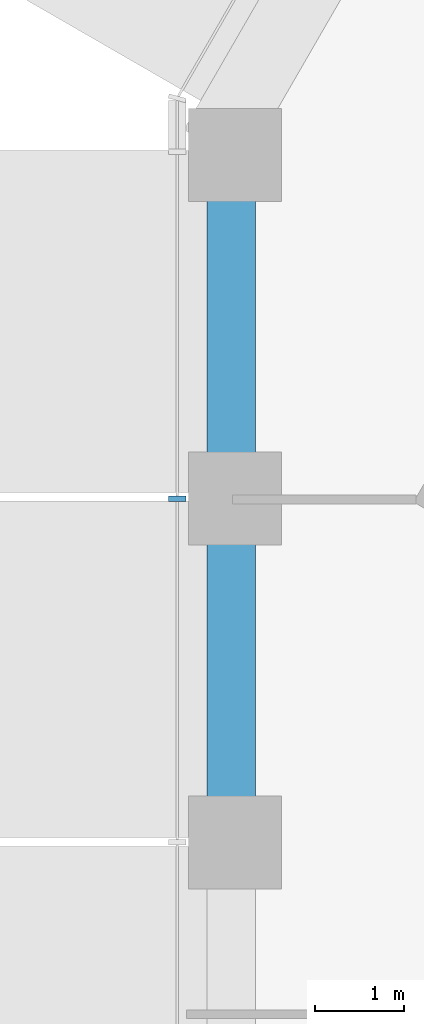
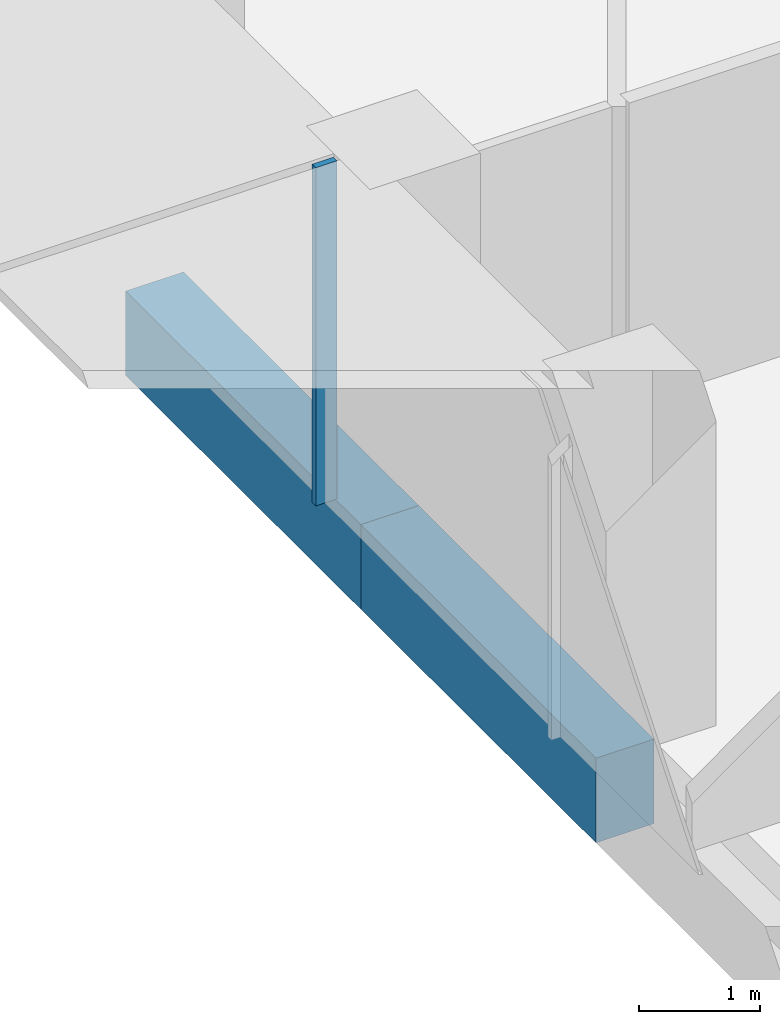
# One storey, part 4 of 19: 2 beams, 1 member, 1 element without a shape of its own.
"""IFC4 building model written with IfcOpenShell, lengths in metres."""

import ifcopenshell
import ifcopenshell.guid

model = None  # the IFC model being written
_history = None  # IfcOwnerHistory: only IFC2X3 demands one
_inside = {}  # id of a spatial element -> (the spatial element, [elements in it])
_under = {}  # id of a project, library or spatial element -> (it, [spatial elements below it])
_declared = {}  # id of a project -> (the project, [libraries it declares])
_typed = {}  # id of a type object -> (the type object, [elements of that type])
_made_of = {}  # id of a material, layer set ... -> (it, [elements and type objects made of it])


def new_model(schema):
    """Start an empty IFC model of exactly this schema.

    Asked for "IFC4X3", IfcOpenShell would pick the latest addendum, in which some entities
    have other attributes; the version numbers below select the first issue.
    IFC2X3 requires an IfcOwnerHistory on every rooted entity: one is made here for all.
    """
    global model, _history
    if schema == "IFC4X3":
        model = ifcopenshell.file(schema_version=(4, 3, 0, 0))
    else:
        model = ifcopenshell.file(schema=schema)
    _inside.clear()
    _under.clear()
    _declared.clear()
    _typed.clear()
    _made_of.clear()
    _history = None
    if model.schema == "IFC2X3":
        org = make("IfcOrganization", Name="unknown")
        user = make(
            "IfcPersonAndOrganization",
            ThePerson=make("IfcPerson", FamilyName="unknown"),
            TheOrganization=org,
        )
        app = make(
            "IfcApplication",
            ApplicationDeveloper=org,
            Version="unknown",
            ApplicationFullName="unknown",
            ApplicationIdentifier="unknown",
        )
        _history = make(
            "IfcOwnerHistory",
            OwningUser=user,
            OwningApplication=app,
            ChangeAction="ADDED",
            CreationDate=0,
        )
    return model


def make(cls, **values):
    """One entity of the class cls with the attributes given. An attribute that is None is left unset."""
    return model.create_entity(
        cls, **{name: value for name, value in values.items() if value is not None}
    )


def rooted(cls, **values):
    """An entity with a GlobalId (a new one), such as an element, a storey or a relation."""
    return make(cls, GlobalId=ifcopenshell.guid.new(), OwnerHistory=_history, **values)


def si_unit(unit_type, name, prefix=None):
    """IfcSIUnit, for example si_unit("LENGTHUNIT", "METRE", prefix="MILLI")."""
    return make("IfcSIUnit", UnitType=unit_type, Prefix=prefix, Name=name)


def assignment(units):
    """IfcUnitAssignment: the units of a project."""
    return None if units is None else make("IfcUnitAssignment", Units=units)


def point(xyz):
    """IfcCartesianPoint."""
    return None if xyz is None else make("IfcCartesianPoint", Coordinates=xyz)


def direction(xyz):
    """IfcDirection."""
    return None if xyz is None else make("IfcDirection", DirectionRatios=xyz)


def frame(location, z_axis=None, x_axis=None):
    """IfcAxis2Placement3D, a coordinate frame: its origin and axes. An axis left out is left unset."""
    return make(
        "IfcAxis2Placement3D",
        Location=point(location),
        Axis=direction(z_axis),
        RefDirection=direction(x_axis),
    )


def frame_2d(location, x_axis=None):
    """IfcAxis2Placement2D, a coordinate frame in the plane: its origin and x axis."""
    return make(
        "IfcAxis2Placement2D", Location=point(location), RefDirection=direction(x_axis)
    )


def origin():
    """The frame at (0, 0, 0) with its axes left unset."""
    return frame((0.0, 0.0, 0.0))


def origin_2d():
    """The frame at (0, 0) in the plane with its x axis left unset."""
    return frame_2d((0.0, 0.0))


def place(relative_to, where):
    """IfcLocalPlacement: puts the frame where relative to a parent placement (None: the world)."""
    return make(
        "IfcLocalPlacement", PlacementRelTo=relative_to, RelativePlacement=where
    )


def context(
    kind, dimensions, precision=None, world=None, true_north=None, identifier=None
):
    """IfcGeometricRepresentationContext, for example the 3D "Model" context."""
    return make(
        "IfcGeometricRepresentationContext",
        ContextIdentifier=identifier,
        ContextType=kind,
        CoordinateSpaceDimension=dimensions,
        Precision=precision,
        WorldCoordinateSystem=world,
        TrueNorth=true_north,
    )


def subcontext(parent, identifier, kind, view, scale=None):
    """IfcGeometricRepresentationSubContext, for example "Body" below "Model"."""
    return make(
        "IfcGeometricRepresentationSubContext",
        ContextIdentifier=identifier,
        ContextType=kind,
        ParentContext=parent,
        TargetScale=scale,
        TargetView=view,
    )


def project(units=None, contexts=None):
    """IfcProject with its units and contexts."""
    return rooted(
        "IfcProject",
        Name="project",
        RepresentationContexts=contexts,
        UnitsInContext=assignment(units),
    )


def spatial(cls, under=None, at=None, **own):
    """A site, building, storey or space (cls), placed at a placement, below another one or the project."""
    s = rooted(cls, ObjectPlacement=at, **own)
    if under is not None:
        _under.setdefault(under.id(), (under, []))[1].append(s)
    return s


def profile(cls, at=None, kind="AREA", **sizes):
    """A parametric profile (cls). Its sizes go by their IFC names, for example OverallWidth=200.0."""
    return make(cls, ProfileType=kind, Position=at, **sizes)


def rectangle(**sizes):
    """IfcRectangleProfileDef."""
    return profile("IfcRectangleProfileDef", **sizes)


def extrude(swept, where, along, depth):
    """IfcExtrudedAreaSolid: the profile swept, set in the frame where, extruded along a direction by depth."""
    return make(
        "IfcExtrudedAreaSolid",
        SweptArea=swept,
        Position=where,
        ExtrudedDirection=direction(along),
        Depth=depth,
    )


def shape(context_of_items, identifier, shape_type, items):
    """IfcShapeRepresentation: the items that make up one representation, for example the "Body"."""
    return make(
        "IfcShapeRepresentation",
        ContextOfItems=context_of_items,
        RepresentationIdentifier=identifier,
        RepresentationType=shape_type,
        Items=items,
    )


def material(Name=None, Category=None):
    """IfcMaterial."""
    return make("IfcMaterial", Name=Name, Category=Category)


def layer(
    of_material, thickness, ventilated=None, Name=None, Category=None, Priority=None
):
    """IfcMaterialLayer: one layer of a wall or slab, of a material (None: an air gap)."""
    return make(
        "IfcMaterialLayer",
        Material=of_material,
        LayerThickness=thickness,
        IsVentilated=ventilated,
        Name=Name,
        Category=Category,
        Priority=Priority,
    )


def layer_set(layers, Name=None):
    """IfcMaterialLayerSet."""
    return make("IfcMaterialLayerSet", MaterialLayers=layers, LayerSetName=Name)


def material_profile(
    of_material, cross_section, Name=None, Category=None, Priority=None
):
    """IfcMaterialProfile: a cross section and its material."""
    return make(
        "IfcMaterialProfile",
        Name=Name,
        Material=of_material,
        Profile=cross_section,
        Priority=Priority,
        Category=Category,
    )


def profile_set(profiles, Name=None, composite=None):
    """IfcMaterialProfileSet."""
    return make(
        "IfcMaterialProfileSet",
        Name=Name,
        MaterialProfiles=profiles,
        CompositeProfile=composite,
    )


def made_of(thing, what):
    """Note that an element or type object is made of a material, layer set ...; save() writes the relation."""
    if what is not None:
        _made_of.setdefault(what.id(), (what, []))[1].append(thing)
    return thing


def type_object(cls, material=None, **own):
    """A type object (cls), such as IfcWallType, which elements share."""
    return made_of(rooted(cls, **own), material)


def element(
    cls,
    number,
    at=None,
    inside=None,
    cuts=None,
    type_object=None,
    material=None,
    context=None,
    identifier="Body",
    shape_type=None,
    held_by="IfcProductDefinitionShape",
    body=None,
    shapes=None,
    **own,
):
    """One element of the class cls, such as IfcWall. Its Tag is "e" and its number.

    at: its placement. inside: the storey or other place that contains it. cuts: it is an
    opening in that element (IfcRelVoidsElement). A single representation is given by context,
    identifier, shape_type and body (its items); several are given by shapes. held_by: the class
    of the entity that holds the representations. save() writes the other relations.
    """
    e = rooted(cls, Tag="e%d" % number, ObjectPlacement=at, **own)
    if body is not None:
        shapes = [shape(context, identifier, shape_type, body)]
    if shapes is not None:
        e.Representation = make(held_by, Representations=shapes)
    if inside is not None:
        _inside.setdefault(inside.id(), (inside, []))[1].append(e)
    if cuts is not None:
        rooted(
            "IfcRelVoidsElement", RelatingBuildingElement=cuts, RelatedOpeningElement=e
        )
    if type_object is not None:
        _typed.setdefault(type_object.id(), (type_object, []))[1].append(e)
    return made_of(e, material)


def aggregate(whole, parts):
    """IfcRelAggregates: a whole, such as a stair, and the parts it consists of."""
    return rooted("IfcRelAggregates", RelatingObject=whole, RelatedObjects=parts)


def save(model, path):
    """Write the relations noted so far, then the file.

    IfcRelAggregates (storeys below a building ...), IfcRelContainedInSpatialStructure (elements
    in a storey), IfcRelDefinesByType, IfcRelAssociatesMaterial and IfcRelDeclares: one each for
    every whole, place, type object, material and project.
    """
    for whole, parts in _under.values():
        aggregate(whole, parts)
    for where, things in _inside.values():
        rooted(
            "IfcRelContainedInSpatialStructure",
            RelatedElements=things,
            RelatingStructure=where,
        )
    for kind, things in _typed.values():
        rooted("IfcRelDefinesByType", RelatedObjects=things, RelatingType=kind)
    for what, things in _made_of.values():
        rooted("IfcRelAssociatesMaterial", RelatedObjects=things, RelatingMaterial=what)
    for by, libraries in _declared.values():
        rooted("IfcRelDeclares", RelatingContext=by, RelatedDefinitions=libraries)
    model.write(path)


model = new_model("IFC4")

# Units and contexts
model_context = context("Model", 3, precision=1e-05, world=origin(), true_north=direction((0.0, 1.0)))
body_context = subcontext(model_context, "Body", "Model", "MODEL_VIEW")
ifc_project = project(units=[si_unit("LENGTHUNIT", "METRE"), si_unit("AREAUNIT", "SQUARE_METRE"), si_unit("VOLUMEUNIT", "CUBIC_METRE"), si_unit("PLANEANGLEUNIT", "RADIAN"), si_unit("MASSUNIT", "GRAM", prefix="KILO")], contexts=[model_context])

# Site, building, storey
site_placement = place(None, origin())
site = spatial("IfcSite", under=ifc_project, at=site_placement, CompositionType="ELEMENT")
building_placement = place(site_placement, origin())
building = spatial("IfcBuilding", under=site, at=building_placement, Name="Ayvan Gate Tower", CompositionType="ELEMENT")
storey_placement = place(building_placement, frame((0.0, 0.0, 100.10009765625)))
storey = spatial("IfcBuildingStorey", under=building, at=storey_placement, Name="L26", CompositionType="ELEMENT", Elevation=100.10009765625)

# Beams
ifc_material_1 = material(Name="Concrete C40/50", Category="concrete")
ifc_material_profile_1 = material_profile(ifc_material_1, rectangle(XDim=0.550048828125, YDim=0.85009765625, at=origin_2d()), Name="RC 550x850")
ifc_profile_set_1 = profile_set([ifc_material_profile_1], Name="Concrete C40/50")
beam_type = type_object("IfcBeamType", Name="Spandrel beam RC 550x850 C40/50", PredefinedType="BEAM", material=ifc_profile_set_1)
for number, where, z_axis, x_axis, name in (
    (1, (-19.202392578125, 9.681396484375, -0.775146484375), (0.0, -1.0, 0.0), (1.0, 0.0, 0.0), "SB-L26-19"),
    (2, (-19.202392578125, 5.808837890625, -0.775146484375), (0.0, -1.0, 0.0), (1.0, 0.0, 0.0), "SB-L26-20"),
):
    element("IfcBeam", number, at=place(storey_placement, frame(where, z_axis=z_axis, x_axis=x_axis)), inside=storey, type_object=beam_type, Name=name, PredefinedType="BEAM", context=body_context, shape_type="SweptSolid", body=[
        extrude(rectangle(XDim=0.550048828125, YDim=0.85009765625, at=origin_2d()), origin(), (0.0, 0.0, 1.0), 3.87255859375),
    ])

# Curtain wall, member
ifc_material_2 = material(Name="Bronze anodised aluminium", Category="aluminium")
ifc_layer = layer(ifc_material_2, 0.199951171875)
ifc_layer_set = layer_set([ifc_layer], Name="Bronze anodised aluminium")
curtain_wall_type = type_object("IfcCurtainWallType", Name="Stick curtain wall CW-1", PredefinedType="NOTDEFINED", material=ifc_layer_set)
curtain_wall_placement = place(storey_placement, origin())
curtain_wall = element("IfcCurtainWall", 3, at=curtain_wall_placement, inside=storey, type_object=curtain_wall_type, Name="Stick curtain wall CW-1 L26", PredefinedType="NOTDEFINED")
ifc_material_profile_2 = material_profile(ifc_material_2, rectangle(XDim=0.199951171875, YDim=0.06005859375, at=origin_2d()), Name="Stick curtain wall CW-1 mullion 200 x 60")
ifc_profile_set_2 = profile_set([ifc_material_profile_2], Name="Bronze anodised aluminium")
member_type = type_object("IfcMemberType", Name="Stick curtain wall CW-1 mullion 200 x 60", PredefinedType="MULLION", material=ifc_profile_set_2)
member_placement = place(storey_placement, frame((-19.813720703125, 5.823486328125, 0.0), z_axis=(0.0, 0.0, 1.0), x_axis=(-1.0, 0.0, 0.0)))
member = element("IfcMember", 4, at=member_placement, type_object=member_type, Name="CW-1 mullion 2", PredefinedType="MULLION", context=body_context, shape_type="SweptSolid", body=[
    extrude(rectangle(XDim=0.199951171875, YDim=0.06005859375, at=origin_2d()), origin(), (0.0, 0.0, 1.0), 3.39990234375),
])
aggregate(curtain_wall, [member])

save(model, "model.ifc")
